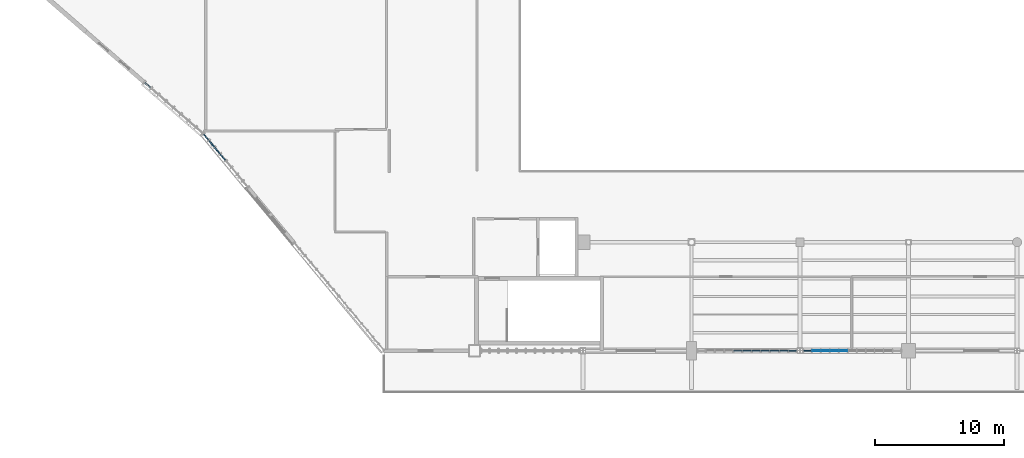
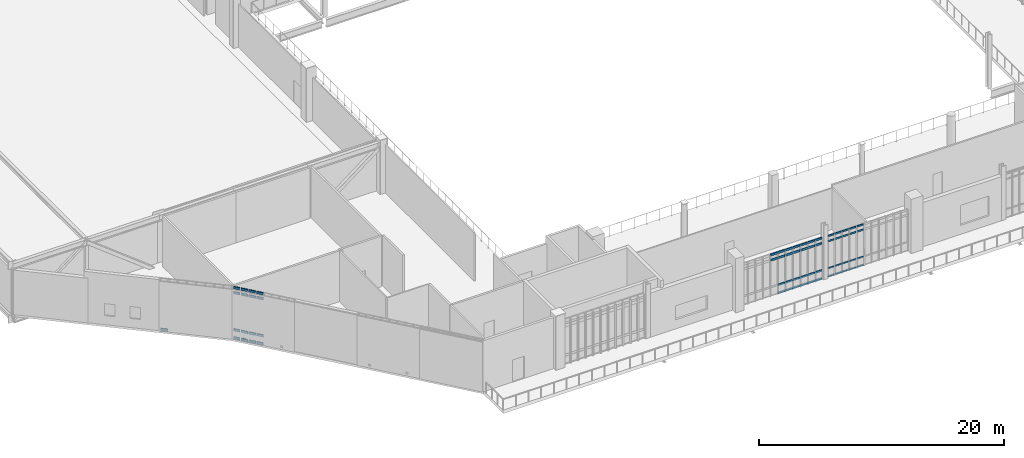
# One storey, part 45 of 135: 63 members, 4 elements without a shape of their own.
"""IFC4 building model written with IfcOpenShell, lengths in metres."""

from ifc_helpers import new_model, si_unit, direction, frame, origin, origin_2d, place, context, subcontext, project, spatial, rectangle, extrude, material, material_profile, profile_set, type_object, element, aggregate, save


model = new_model("IFC4")

# Units and contexts
model_context = context("Model", 3, precision=1e-05, world=origin(), true_north=direction((0.0, 1.0)))
body_context = subcontext(model_context, "Body", "Model", "MODEL_VIEW")
ifc_project = project(units=[si_unit("LENGTHUNIT", "METRE"), si_unit("AREAUNIT", "SQUARE_METRE"), si_unit("VOLUMEUNIT", "CUBIC_METRE"), si_unit("PLANEANGLEUNIT", "RADIAN"), si_unit("MASSUNIT", "GRAM", prefix="KILO")], contexts=[model_context])

# Site, building, storey
site_placement = place(None, origin())
site = spatial("IfcSite", under=ifc_project, at=site_placement, CompositionType="ELEMENT")
building_placement = place(site_placement, origin())
building = spatial("IfcBuilding", under=site, at=building_placement, Name="Larkvane Passage Sports Hall", CompositionType="ELEMENT")
storey_placement = place(building_placement, frame((0.0, 0.0, 16.800048828125)))
storey = spatial("IfcBuildingStorey", under=building, at=storey_placement, Name="L03", CompositionType="ELEMENT", Elevation=16.800048828125)

# Curtain wall, member
ifc_material_1 = material(Name="Thermally broken aluminium and low-E glazing", Category="aluminium")
curtain_wall_type_1 = type_object("IfcCurtainWallType", Name="CW-CLINIC", PredefinedType="USERDEFINED", material=ifc_material_1)
curtain_wall_1_placement = place(storey_placement, origin())
curtain_wall_1 = element("IfcCurtainWall", 1, at=curtain_wall_1_placement, inside=storey, type_object=curtain_wall_type_1, Name="Curtain wall CW5-L03-131", ObjectType="UNITISED CURTAIN WALL", PredefinedType="USERDEFINED")
ifc_material_2 = material(Name="Anodised aluminium 6063-T6", Category="aluminium")
ifc_material_profile_1 = material_profile(ifc_material_2, rectangle(XDim=0.10009765625, YDim=0.260009765625, at=origin_2d()), Name="ALU-TRN-100x260")
ifc_profile_set_1 = profile_set([ifc_material_profile_1], Name="Anodised aluminium 6063-T6")
member_type_1 = type_object("IfcMemberType", Name="CW-TRN-100x260", PredefinedType="USERDEFINED", material=ifc_profile_set_1)
member_1_placement = place(storey_placement, frame((9.7373046875, 43.1328125, 0.050048828125), z_axis=(-0.75464845519, 0.656129338682, 0.0), x_axis=(-0.656129338682, -0.75464845519, 0.0)))
member_1 = element("IfcMember", 2, at=member_1_placement, type_object=member_type_1, Name="CW-05 transom 8.1", ObjectType="TRANSOM", PredefinedType="USERDEFINED", context=body_context, shape_type="SweptSolid", body=[
    extrude(rectangle(XDim=0.10009765625, YDim=0.260009765625, at=origin_2d()), origin(), (0.0, 0.0, 1.0), 0.612060546875),
])
aggregate(curtain_wall_1, [member_1])

# Curtain wall, members
curtain_wall_type_2 = type_object("IfcCurtainWallType", Name="CW-UNIT-VEIL", PredefinedType="USERDEFINED", material=ifc_material_1)
curtain_wall_2_placement = place(storey_placement, origin())
curtain_wall_2 = element("IfcCurtainWall", 3, at=curtain_wall_2_placement, inside=storey, type_object=curtain_wall_type_2, Name="Curtain wall CW5-L03-125", ObjectType="UNITISED CURTAIN WALL", PredefinedType="USERDEFINED")
ifc_material_profile_2 = material_profile(ifc_material_2, rectangle(XDim=0.070068359375, YDim=0.159912109375, at=origin_2d()), Name="ALU-TRN-70x160")
ifc_profile_set_2 = profile_set([ifc_material_profile_2], Name="Anodised aluminium 6063-T6")
member_type_2 = type_object("IfcMemberType", Name="CW-TRN-70x160", PredefinedType="USERDEFINED", material=ifc_profile_set_2)
member_2_placement = place(storey_placement, frame((63.643798828125, 22.800048828125, 0.034912109375), z_axis=(-1.0, 0.0, 0.0), x_axis=(0.0, -1.0, 0.0)))
member_2 = element("IfcMember", 4, at=member_2_placement, type_object=member_type_2, Name="CW-02 transom 7.1", ObjectType="TRANSOM", PredefinedType="USERDEFINED", context=body_context, shape_type="SweptSolid", body=[
    extrude(rectangle(XDim=0.070068359375, YDim=0.159912109375, at=origin_2d()), origin(), (0.0, 0.0, 1.0), 0.625732421875),
])
member_3_placement = place(storey_placement, frame((63.643798828125, 22.800048828125, 0.849853515625), z_axis=(-1.0, 0.0, 0.0), x_axis=(0.0, -1.0, 0.0)))
member_3 = element("IfcMember", 5, at=member_3_placement, type_object=member_type_2, Name="CW-02 transom 7.2", ObjectType="TRANSOM", PredefinedType="USERDEFINED", context=body_context, shape_type="SweptSolid", body=[
    extrude(rectangle(XDim=0.070068359375, YDim=0.159912109375, at=origin_2d()), origin(), (0.0, 0.0, 1.0), 0.625732421875),
])
member_4_placement = place(storey_placement, frame((63.643798828125, 22.800048828125, 3.557861328125), z_axis=(-1.0, 0.0, 0.0), x_axis=(0.0, -1.0, 0.0)))
member_4 = element("IfcMember", 6, at=member_4_placement, type_object=member_type_2, Name="CW-02 transom 7.3", ObjectType="TRANSOM", PredefinedType="USERDEFINED", context=body_context, shape_type="SweptSolid", body=[
    extrude(rectangle(XDim=0.070068359375, YDim=0.159912109375, at=origin_2d()), origin(), (0.0, 0.0, 1.0), 0.625732421875),
])
member_5_placement = place(storey_placement, frame((63.643798828125, 22.800048828125, 4.072998046875), z_axis=(-1.0, 0.0, 0.0), x_axis=(0.0, -1.0, 0.0)))
member_5 = element("IfcMember", 7, at=member_5_placement, type_object=member_type_2, Name="CW-02 transom 7.4", ObjectType="TRANSOM", PredefinedType="USERDEFINED", context=body_context, shape_type="SweptSolid", body=[
    extrude(rectangle(XDim=0.070068359375, YDim=0.159912109375, at=origin_2d()), origin(), (0.0, 0.0, 1.0), 0.625732421875),
])
member_6_placement = place(storey_placement, frame((62.947998046875, 22.800048828125, 0.034912109375), z_axis=(-1.0, 0.0, 0.0), x_axis=(0.0, -1.0, 0.0)))
member_6 = element("IfcMember", 8, at=member_6_placement, type_object=member_type_2, Name="CW-02 transom 8.1", ObjectType="TRANSOM", PredefinedType="USERDEFINED", context=body_context, shape_type="SweptSolid", body=[
    extrude(rectangle(XDim=0.070068359375, YDim=0.159912109375, at=origin_2d()), origin(), (0.0, 0.0, 1.0), 0.6259765625),
])
member_7_placement = place(storey_placement, frame((62.947998046875, 22.800048828125, 0.849853515625), z_axis=(-1.0, 0.0, 0.0), x_axis=(0.0, -1.0, 0.0)))
member_7 = element("IfcMember", 9, at=member_7_placement, type_object=member_type_2, Name="CW-02 transom 8.2", ObjectType="TRANSOM", PredefinedType="USERDEFINED", context=body_context, shape_type="SweptSolid", body=[
    extrude(rectangle(XDim=0.070068359375, YDim=0.159912109375, at=origin_2d()), origin(), (0.0, 0.0, 1.0), 0.6259765625),
])
member_8_placement = place(storey_placement, frame((62.947998046875, 22.800048828125, 3.557861328125), z_axis=(-1.0, 0.0, 0.0), x_axis=(0.0, -1.0, 0.0)))
member_8 = element("IfcMember", 10, at=member_8_placement, type_object=member_type_2, Name="CW-02 transom 8.3", ObjectType="TRANSOM", PredefinedType="USERDEFINED", context=body_context, shape_type="SweptSolid", body=[
    extrude(rectangle(XDim=0.070068359375, YDim=0.159912109375, at=origin_2d()), origin(), (0.0, 0.0, 1.0), 0.6259765625),
])
member_9_placement = place(storey_placement, frame((62.947998046875, 22.800048828125, 4.072998046875), z_axis=(-1.0, 0.0, 0.0), x_axis=(0.0, -1.0, 0.0)))
member_9 = element("IfcMember", 11, at=member_9_placement, type_object=member_type_2, Name="CW-02 transom 8.4", ObjectType="TRANSOM", PredefinedType="USERDEFINED", context=body_context, shape_type="SweptSolid", body=[
    extrude(rectangle(XDim=0.070068359375, YDim=0.159912109375, at=origin_2d()), origin(), (0.0, 0.0, 1.0), 0.6259765625),
])
member_10_placement = place(storey_placement, frame((62.252197265625, 22.800048828125, 0.034912109375), z_axis=(-1.0, 0.0, 0.0), x_axis=(0.0, -1.0, 0.0)))
member_10 = element("IfcMember", 12, at=member_10_placement, type_object=member_type_2, Name="CW-02 transom 9.1", ObjectType="TRANSOM", PredefinedType="USERDEFINED", context=body_context, shape_type="SweptSolid", body=[
    extrude(rectangle(XDim=0.070068359375, YDim=0.159912109375, at=origin_2d()), origin(), (0.0, 0.0, 1.0), 0.6259765625),
])
member_11_placement = place(storey_placement, frame((62.252197265625, 22.800048828125, 0.849853515625), z_axis=(-1.0, 0.0, 0.0), x_axis=(0.0, -1.0, 0.0)))
member_11 = element("IfcMember", 13, at=member_11_placement, type_object=member_type_2, Name="CW-02 transom 9.2", ObjectType="TRANSOM", PredefinedType="USERDEFINED", context=body_context, shape_type="SweptSolid", body=[
    extrude(rectangle(XDim=0.070068359375, YDim=0.159912109375, at=origin_2d()), origin(), (0.0, 0.0, 1.0), 0.6259765625),
])
member_12_placement = place(storey_placement, frame((62.252197265625, 22.800048828125, 3.557861328125), z_axis=(-1.0, 0.0, 0.0), x_axis=(0.0, -1.0, 0.0)))
member_12 = element("IfcMember", 14, at=member_12_placement, type_object=member_type_2, Name="CW-02 transom 9.3", ObjectType="TRANSOM", PredefinedType="USERDEFINED", context=body_context, shape_type="SweptSolid", body=[
    extrude(rectangle(XDim=0.070068359375, YDim=0.159912109375, at=origin_2d()), origin(), (0.0, 0.0, 1.0), 0.6259765625),
])
member_13_placement = place(storey_placement, frame((62.252197265625, 22.800048828125, 4.072998046875), z_axis=(-1.0, 0.0, 0.0), x_axis=(0.0, -1.0, 0.0)))
member_13 = element("IfcMember", 15, at=member_13_placement, type_object=member_type_2, Name="CW-02 transom 9.4", ObjectType="TRANSOM", PredefinedType="USERDEFINED", context=body_context, shape_type="SweptSolid", body=[
    extrude(rectangle(XDim=0.070068359375, YDim=0.159912109375, at=origin_2d()), origin(), (0.0, 0.0, 1.0), 0.6259765625),
])
member_14_placement = place(storey_placement, frame((61.55615234375, 22.800048828125, 0.034912109375), z_axis=(-1.0, 0.0, 0.0), x_axis=(0.0, -1.0, 0.0)))
member_14 = element("IfcMember", 16, at=member_14_placement, type_object=member_type_2, Name="CW-02 transom 10.1", ObjectType="TRANSOM", PredefinedType="USERDEFINED", context=body_context, shape_type="SweptSolid", body=[
    extrude(rectangle(XDim=0.070068359375, YDim=0.159912109375, at=origin_2d()), origin(), (0.0, 0.0, 1.0), 0.625732421875),
])
member_15_placement = place(storey_placement, frame((61.55615234375, 22.800048828125, 0.849853515625), z_axis=(-1.0, 0.0, 0.0), x_axis=(0.0, -1.0, 0.0)))
member_15 = element("IfcMember", 17, at=member_15_placement, type_object=member_type_2, Name="CW-02 transom 10.2", ObjectType="TRANSOM", PredefinedType="USERDEFINED", context=body_context, shape_type="SweptSolid", body=[
    extrude(rectangle(XDim=0.070068359375, YDim=0.159912109375, at=origin_2d()), origin(), (0.0, 0.0, 1.0), 0.625732421875),
])
member_16_placement = place(storey_placement, frame((61.55615234375, 22.800048828125, 3.557861328125), z_axis=(-1.0, 0.0, 0.0), x_axis=(0.0, -1.0, 0.0)))
member_16 = element("IfcMember", 18, at=member_16_placement, type_object=member_type_2, Name="CW-02 transom 10.3", ObjectType="TRANSOM", PredefinedType="USERDEFINED", context=body_context, shape_type="SweptSolid", body=[
    extrude(rectangle(XDim=0.070068359375, YDim=0.159912109375, at=origin_2d()), origin(), (0.0, 0.0, 1.0), 0.625732421875),
])
member_17_placement = place(storey_placement, frame((61.55615234375, 22.800048828125, 4.072998046875), z_axis=(-1.0, 0.0, 0.0), x_axis=(0.0, -1.0, 0.0)))
member_17 = element("IfcMember", 19, at=member_17_placement, type_object=member_type_2, Name="CW-02 transom 10.4", ObjectType="TRANSOM", PredefinedType="USERDEFINED", context=body_context, shape_type="SweptSolid", body=[
    extrude(rectangle(XDim=0.070068359375, YDim=0.159912109375, at=origin_2d()), origin(), (0.0, 0.0, 1.0), 0.625732421875),
])
member_18_placement = place(storey_placement, frame((60.8603515625, 22.800048828125, 0.034912109375), z_axis=(-1.0, 0.0, 0.0), x_axis=(0.0, -1.0, 0.0)))
member_18 = element("IfcMember", 20, at=member_18_placement, type_object=member_type_2, Name="CW-02 transom 11.1", ObjectType="TRANSOM", PredefinedType="USERDEFINED", context=body_context, shape_type="SweptSolid", body=[
    extrude(rectangle(XDim=0.070068359375, YDim=0.159912109375, at=origin_2d()), origin(), (0.0, 0.0, 1.0), 0.5908203125),
])
member_19_placement = place(storey_placement, frame((60.8603515625, 22.800048828125, 0.849853515625), z_axis=(-1.0, 0.0, 0.0), x_axis=(0.0, -1.0, 0.0)))
member_19 = element("IfcMember", 21, at=member_19_placement, type_object=member_type_2, Name="CW-02 transom 11.2", ObjectType="TRANSOM", PredefinedType="USERDEFINED", context=body_context, shape_type="SweptSolid", body=[
    extrude(rectangle(XDim=0.070068359375, YDim=0.159912109375, at=origin_2d()), origin(), (0.0, 0.0, 1.0), 0.5908203125),
])
member_20_placement = place(storey_placement, frame((60.8603515625, 22.800048828125, 3.557861328125), z_axis=(-1.0, 0.0, 0.0), x_axis=(0.0, -1.0, 0.0)))
member_20 = element("IfcMember", 22, at=member_20_placement, type_object=member_type_2, Name="CW-02 transom 11.3", ObjectType="TRANSOM", PredefinedType="USERDEFINED", context=body_context, shape_type="SweptSolid", body=[
    extrude(rectangle(XDim=0.070068359375, YDim=0.159912109375, at=origin_2d()), origin(), (0.0, 0.0, 1.0), 0.5908203125),
])
member_21_placement = place(storey_placement, frame((60.8603515625, 22.800048828125, 4.072998046875), z_axis=(-1.0, 0.0, 0.0), x_axis=(0.0, -1.0, 0.0)))
member_21 = element("IfcMember", 23, at=member_21_placement, type_object=member_type_2, Name="CW-02 transom 11.4", ObjectType="TRANSOM", PredefinedType="USERDEFINED", context=body_context, shape_type="SweptSolid", body=[
    extrude(rectangle(XDim=0.070068359375, YDim=0.159912109375, at=origin_2d()), origin(), (0.0, 0.0, 1.0), 0.5908203125),
])
aggregate(curtain_wall_2, [member_2, member_3, member_4, member_5, member_6, member_7, member_8, member_9, member_10, member_11, member_12, member_13, member_14, member_15, member_16, member_17, member_18, member_19, member_20, member_21])

curtain_wall_type_3 = type_object("IfcCurtainWallType", Name="CW-STICK-FOYER", PredefinedType="USERDEFINED", material=ifc_material_1)
curtain_wall_3_placement = place(storey_placement, origin())
curtain_wall_3 = element("IfcCurtainWall", 24, at=curtain_wall_3_placement, inside=storey, type_object=curtain_wall_type_3, Name="Curtain wall CW5-L03-126", ObjectType="STICK CURTAIN WALL", PredefinedType="USERDEFINED")
ifc_material_profile_3 = material_profile(ifc_material_2, rectangle(XDim=0.080078125, YDim=0.2099609375, at=origin_2d()), Name="ALU-TRN-80x210")
ifc_profile_set_3 = profile_set([ifc_material_profile_3], Name="Anodised aluminium 6063-T6")
member_type_3 = type_object("IfcMemberType", Name="CW-TRN-80x210", PredefinedType="USERDEFINED", material=ifc_profile_set_3)
member_22_placement = place(storey_placement, frame((59.720458984375, 22.800048828125, 0.0400390625), z_axis=(-1.0, 0.0, 0.0), x_axis=(0.0, -1.0, 0.0)))
member_22 = element("IfcMember", 25, at=member_22_placement, type_object=member_type_3, Name="CW-03 transom 1.1", ObjectType="TRANSOM", PredefinedType="USERDEFINED", context=body_context, shape_type="SweptSolid", body=[
    extrude(rectangle(XDim=0.080078125, YDim=0.2099609375, at=origin_2d()), origin(), (0.0, 0.0, 1.0), 0.58935546875),
])
member_23_placement = place(storey_placement, frame((59.720458984375, 22.800048828125, 0.849853515625), z_axis=(-1.0, 0.0, 0.0), x_axis=(0.0, -1.0, 0.0)))
member_23 = element("IfcMember", 26, at=member_23_placement, type_object=member_type_3, Name="CW-03 transom 1.2", ObjectType="TRANSOM", PredefinedType="USERDEFINED", context=body_context, shape_type="SweptSolid", body=[
    extrude(rectangle(XDim=0.080078125, YDim=0.2099609375, at=origin_2d()), origin(), (0.0, 0.0, 1.0), 0.58935546875),
])
member_24_placement = place(storey_placement, frame((59.720458984375, 22.800048828125, 3.557861328125), z_axis=(-1.0, 0.0, 0.0), x_axis=(0.0, -1.0, 0.0)))
member_24 = element("IfcMember", 27, at=member_24_placement, type_object=member_type_3, Name="CW-03 transom 1.3", ObjectType="TRANSOM", PredefinedType="USERDEFINED", context=body_context, shape_type="SweptSolid", body=[
    extrude(rectangle(XDim=0.080078125, YDim=0.2099609375, at=origin_2d()), origin(), (0.0, 0.0, 1.0), 0.58935546875),
])
member_25_placement = place(storey_placement, frame((59.720458984375, 22.800048828125, 4.06787109375), z_axis=(-1.0, 0.0, 0.0), x_axis=(0.0, -1.0, 0.0)))
member_25 = element("IfcMember", 28, at=member_25_placement, type_object=member_type_3, Name="CW-03 transom 1.4", ObjectType="TRANSOM", PredefinedType="USERDEFINED", context=body_context, shape_type="SweptSolid", body=[
    extrude(rectangle(XDim=0.080078125, YDim=0.2099609375, at=origin_2d()), origin(), (0.0, 0.0, 1.0), 0.58935546875),
])
member_26_placement = place(storey_placement, frame((59.051025390625, 22.800048828125, 0.0400390625), z_axis=(-1.0, 0.0, 0.0), x_axis=(0.0, -1.0, 0.0)))
member_26 = element("IfcMember", 29, at=member_26_placement, type_object=member_type_3, Name="CW-03 transom 2.1", ObjectType="TRANSOM", PredefinedType="USERDEFINED", context=body_context, shape_type="SweptSolid", body=[
    extrude(rectangle(XDim=0.080078125, YDim=0.2099609375, at=origin_2d()), origin(), (0.0, 0.0, 1.0), 0.629638671875),
])
member_27_placement = place(storey_placement, frame((59.051025390625, 22.800048828125, 0.849853515625), z_axis=(-1.0, 0.0, 0.0), x_axis=(0.0, -1.0, 0.0)))
member_27 = element("IfcMember", 30, at=member_27_placement, type_object=member_type_3, Name="CW-03 transom 2.2", ObjectType="TRANSOM", PredefinedType="USERDEFINED", context=body_context, shape_type="SweptSolid", body=[
    extrude(rectangle(XDim=0.080078125, YDim=0.2099609375, at=origin_2d()), origin(), (0.0, 0.0, 1.0), 0.629638671875),
])
member_28_placement = place(storey_placement, frame((59.051025390625, 22.800048828125, 3.557861328125), z_axis=(-1.0, 0.0, 0.0), x_axis=(0.0, -1.0, 0.0)))
member_28 = element("IfcMember", 31, at=member_28_placement, type_object=member_type_3, Name="CW-03 transom 2.3", ObjectType="TRANSOM", PredefinedType="USERDEFINED", context=body_context, shape_type="SweptSolid", body=[
    extrude(rectangle(XDim=0.080078125, YDim=0.2099609375, at=origin_2d()), origin(), (0.0, 0.0, 1.0), 0.629638671875),
])
member_29_placement = place(storey_placement, frame((59.051025390625, 22.800048828125, 4.06787109375), z_axis=(-1.0, 0.0, 0.0), x_axis=(0.0, -1.0, 0.0)))
member_29 = element("IfcMember", 32, at=member_29_placement, type_object=member_type_3, Name="CW-03 transom 2.4", ObjectType="TRANSOM", PredefinedType="USERDEFINED", context=body_context, shape_type="SweptSolid", body=[
    extrude(rectangle(XDim=0.080078125, YDim=0.2099609375, at=origin_2d()), origin(), (0.0, 0.0, 1.0), 0.629638671875),
])
member_30_placement = place(storey_placement, frame((58.341552734375, 22.800048828125, 0.0400390625), z_axis=(-1.0, 0.0, 0.0), x_axis=(0.0, -1.0, 0.0)))
member_30 = element("IfcMember", 33, at=member_30_placement, type_object=member_type_3, Name="CW-03 transom 3.1", ObjectType="TRANSOM", PredefinedType="USERDEFINED", context=body_context, shape_type="SweptSolid", body=[
    extrude(rectangle(XDim=0.080078125, YDim=0.2099609375, at=origin_2d()), origin(), (0.0, 0.0, 1.0), 0.629638671875),
])
member_31_placement = place(storey_placement, frame((58.341552734375, 22.800048828125, 0.849853515625), z_axis=(-1.0, 0.0, 0.0), x_axis=(0.0, -1.0, 0.0)))
member_31 = element("IfcMember", 34, at=member_31_placement, type_object=member_type_3, Name="CW-03 transom 3.2", ObjectType="TRANSOM", PredefinedType="USERDEFINED", context=body_context, shape_type="SweptSolid", body=[
    extrude(rectangle(XDim=0.080078125, YDim=0.2099609375, at=origin_2d()), origin(), (0.0, 0.0, 1.0), 0.629638671875),
])
member_32_placement = place(storey_placement, frame((58.341552734375, 22.800048828125, 3.557861328125), z_axis=(-1.0, 0.0, 0.0), x_axis=(0.0, -1.0, 0.0)))
member_32 = element("IfcMember", 35, at=member_32_placement, type_object=member_type_3, Name="CW-03 transom 3.3", ObjectType="TRANSOM", PredefinedType="USERDEFINED", context=body_context, shape_type="SweptSolid", body=[
    extrude(rectangle(XDim=0.080078125, YDim=0.2099609375, at=origin_2d()), origin(), (0.0, 0.0, 1.0), 0.629638671875),
])
member_33_placement = place(storey_placement, frame((58.341552734375, 22.800048828125, 4.06787109375), z_axis=(-1.0, 0.0, 0.0), x_axis=(0.0, -1.0, 0.0)))
member_33 = element("IfcMember", 36, at=member_33_placement, type_object=member_type_3, Name="CW-03 transom 3.4", ObjectType="TRANSOM", PredefinedType="USERDEFINED", context=body_context, shape_type="SweptSolid", body=[
    extrude(rectangle(XDim=0.080078125, YDim=0.2099609375, at=origin_2d()), origin(), (0.0, 0.0, 1.0), 0.629638671875),
])
member_34_placement = place(storey_placement, frame((57.632080078125, 22.800048828125, 0.0400390625), z_axis=(-1.0, 0.0, 0.0), x_axis=(0.0, -1.0, 0.0)))
member_34 = element("IfcMember", 37, at=member_34_placement, type_object=member_type_3, Name="CW-03 transom 4.1", ObjectType="TRANSOM", PredefinedType="USERDEFINED", context=body_context, shape_type="SweptSolid", body=[
    extrude(rectangle(XDim=0.080078125, YDim=0.2099609375, at=origin_2d()), origin(), (0.0, 0.0, 1.0), 0.629638671875),
])
member_35_placement = place(storey_placement, frame((57.632080078125, 22.800048828125, 0.849853515625), z_axis=(-1.0, 0.0, 0.0), x_axis=(0.0, -1.0, 0.0)))
member_35 = element("IfcMember", 38, at=member_35_placement, type_object=member_type_3, Name="CW-03 transom 4.2", ObjectType="TRANSOM", PredefinedType="USERDEFINED", context=body_context, shape_type="SweptSolid", body=[
    extrude(rectangle(XDim=0.080078125, YDim=0.2099609375, at=origin_2d()), origin(), (0.0, 0.0, 1.0), 0.629638671875),
])
member_36_placement = place(storey_placement, frame((57.632080078125, 22.800048828125, 3.557861328125), z_axis=(-1.0, 0.0, 0.0), x_axis=(0.0, -1.0, 0.0)))
member_36 = element("IfcMember", 39, at=member_36_placement, type_object=member_type_3, Name="CW-03 transom 4.3", ObjectType="TRANSOM", PredefinedType="USERDEFINED", context=body_context, shape_type="SweptSolid", body=[
    extrude(rectangle(XDim=0.080078125, YDim=0.2099609375, at=origin_2d()), origin(), (0.0, 0.0, 1.0), 0.629638671875),
])
member_37_placement = place(storey_placement, frame((57.632080078125, 22.800048828125, 4.06787109375), z_axis=(-1.0, 0.0, 0.0), x_axis=(0.0, -1.0, 0.0)))
member_37 = element("IfcMember", 40, at=member_37_placement, type_object=member_type_3, Name="CW-03 transom 4.4", ObjectType="TRANSOM", PredefinedType="USERDEFINED", context=body_context, shape_type="SweptSolid", body=[
    extrude(rectangle(XDim=0.080078125, YDim=0.2099609375, at=origin_2d()), origin(), (0.0, 0.0, 1.0), 0.629638671875),
])
member_38_placement = place(storey_placement, frame((56.922607421875, 22.800048828125, 0.0400390625), z_axis=(-1.0, 0.0, 0.0), x_axis=(0.0, -1.0, 0.0)))
member_38 = element("IfcMember", 41, at=member_38_placement, type_object=member_type_3, Name="CW-03 transom 5.1", ObjectType="TRANSOM", PredefinedType="USERDEFINED", context=body_context, shape_type="SweptSolid", body=[
    extrude(rectangle(XDim=0.080078125, YDim=0.2099609375, at=origin_2d()), origin(), (0.0, 0.0, 1.0), 0.629638671875),
])
member_39_placement = place(storey_placement, frame((56.922607421875, 22.800048828125, 0.849853515625), z_axis=(-1.0, 0.0, 0.0), x_axis=(0.0, -1.0, 0.0)))
member_39 = element("IfcMember", 42, at=member_39_placement, type_object=member_type_3, Name="CW-03 transom 5.2", ObjectType="TRANSOM", PredefinedType="USERDEFINED", context=body_context, shape_type="SweptSolid", body=[
    extrude(rectangle(XDim=0.080078125, YDim=0.2099609375, at=origin_2d()), origin(), (0.0, 0.0, 1.0), 0.629638671875),
])
member_40_placement = place(storey_placement, frame((56.922607421875, 22.800048828125, 3.557861328125), z_axis=(-1.0, 0.0, 0.0), x_axis=(0.0, -1.0, 0.0)))
member_40 = element("IfcMember", 43, at=member_40_placement, type_object=member_type_3, Name="CW-03 transom 5.3", ObjectType="TRANSOM", PredefinedType="USERDEFINED", context=body_context, shape_type="SweptSolid", body=[
    extrude(rectangle(XDim=0.080078125, YDim=0.2099609375, at=origin_2d()), origin(), (0.0, 0.0, 1.0), 0.629638671875),
])
member_41_placement = place(storey_placement, frame((56.922607421875, 22.800048828125, 4.06787109375), z_axis=(-1.0, 0.0, 0.0), x_axis=(0.0, -1.0, 0.0)))
member_41 = element("IfcMember", 44, at=member_41_placement, type_object=member_type_3, Name="CW-03 transom 5.4", ObjectType="TRANSOM", PredefinedType="USERDEFINED", context=body_context, shape_type="SweptSolid", body=[
    extrude(rectangle(XDim=0.080078125, YDim=0.2099609375, at=origin_2d()), origin(), (0.0, 0.0, 1.0), 0.629638671875),
])
member_42_placement = place(storey_placement, frame((56.212890625, 22.800048828125, 0.0400390625), z_axis=(-1.0, 0.0, 0.0), x_axis=(0.0, -1.0, 0.0)))
member_42 = element("IfcMember", 45, at=member_42_placement, type_object=member_type_3, Name="CW-03 transom 6.1", ObjectType="TRANSOM", PredefinedType="USERDEFINED", context=body_context, shape_type="SweptSolid", body=[
    extrude(rectangle(XDim=0.080078125, YDim=0.2099609375, at=origin_2d()), origin(), (0.0, 0.0, 1.0), 0.62939453125),
])
member_43_placement = place(storey_placement, frame((56.212890625, 22.800048828125, 0.849853515625), z_axis=(-1.0, 0.0, 0.0), x_axis=(0.0, -1.0, 0.0)))
member_43 = element("IfcMember", 46, at=member_43_placement, type_object=member_type_3, Name="CW-03 transom 6.2", ObjectType="TRANSOM", PredefinedType="USERDEFINED", context=body_context, shape_type="SweptSolid", body=[
    extrude(rectangle(XDim=0.080078125, YDim=0.2099609375, at=origin_2d()), origin(), (0.0, 0.0, 1.0), 0.62939453125),
])
member_44_placement = place(storey_placement, frame((56.212890625, 22.800048828125, 3.557861328125), z_axis=(-1.0, 0.0, 0.0), x_axis=(0.0, -1.0, 0.0)))
member_44 = element("IfcMember", 47, at=member_44_placement, type_object=member_type_3, Name="CW-03 transom 6.3", ObjectType="TRANSOM", PredefinedType="USERDEFINED", context=body_context, shape_type="SweptSolid", body=[
    extrude(rectangle(XDim=0.080078125, YDim=0.2099609375, at=origin_2d()), origin(), (0.0, 0.0, 1.0), 0.62939453125),
])
member_45_placement = place(storey_placement, frame((56.212890625, 22.800048828125, 4.06787109375), z_axis=(-1.0, 0.0, 0.0), x_axis=(0.0, -1.0, 0.0)))
member_45 = element("IfcMember", 48, at=member_45_placement, type_object=member_type_3, Name="CW-03 transom 6.4", ObjectType="TRANSOM", PredefinedType="USERDEFINED", context=body_context, shape_type="SweptSolid", body=[
    extrude(rectangle(XDim=0.080078125, YDim=0.2099609375, at=origin_2d()), origin(), (0.0, 0.0, 1.0), 0.62939453125),
])
member_46_placement = place(storey_placement, frame((55.50341796875, 22.800048828125, 3.557861328125), z_axis=(-1.0, 0.0, 0.0), x_axis=(0.0, -1.0, 0.0)))
member_46 = element("IfcMember", 49, at=member_46_placement, type_object=member_type_3, Name="CW-03 transom 7.3", ObjectType="TRANSOM", PredefinedType="USERDEFINED", context=body_context, shape_type="SweptSolid", body=[
    extrude(rectangle(XDim=0.080078125, YDim=0.2099609375, at=origin_2d()), origin(), (0.0, 0.0, 1.0), 0.62939453125),
])
member_47_placement = place(storey_placement, frame((55.50341796875, 22.800048828125, 4.06787109375), z_axis=(-1.0, 0.0, 0.0), x_axis=(0.0, -1.0, 0.0)))
member_47 = element("IfcMember", 50, at=member_47_placement, type_object=member_type_3, Name="CW-03 transom 7.4", ObjectType="TRANSOM", PredefinedType="USERDEFINED", context=body_context, shape_type="SweptSolid", body=[
    extrude(rectangle(XDim=0.080078125, YDim=0.2099609375, at=origin_2d()), origin(), (0.0, 0.0, 1.0), 0.62939453125),
])
aggregate(curtain_wall_3, [member_22, member_23, member_24, member_25, member_26, member_27, member_28, member_29, member_30, member_31, member_32, member_33, member_34, member_35, member_36, member_37, member_38, member_39, member_40, member_41, member_42, member_43, member_44, member_45, member_46, member_47])

curtain_wall_4_placement = place(storey_placement, origin())
curtain_wall_4 = element("IfcCurtainWall", 51, at=curtain_wall_4_placement, inside=storey, type_object=curtain_wall_type_3, Name="Curtain wall CW5-L03-130", ObjectType="STICK CURTAIN WALL", PredefinedType="USERDEFINED")
ifc_material_profile_4 = material_profile(ifc_material_2, rectangle(XDim=0.090087890625, YDim=0.235107421875, at=origin_2d()), Name="ALU-TRN-90x235")
ifc_profile_set_4 = profile_set([ifc_material_profile_4], Name="Anodised aluminium 6063-T6")
member_type_4 = type_object("IfcMemberType", Name="CW-TRN-90x235", PredefinedType="USERDEFINED", material=ifc_profile_set_4)
member_48_placement = place(storey_placement, frame((15.521240234375, 37.53466796875, 0.044921875), z_axis=(-0.640224869816, 0.768187552665, 0.0), x_axis=(-0.768187552665, -0.640224869816, 0.0)))
member_48 = element("IfcMember", 52, at=member_48_placement, type_object=member_type_4, Name="CW-03 transom 5.1", ObjectType="TRANSOM", PredefinedType="USERDEFINED", context=body_context, shape_type="SweptSolid", body=[
    extrude(rectangle(XDim=0.090087890625, YDim=0.235107421875, at=origin_2d()), origin(), (0.0, 0.0, 1.0), 0.59326171875),
])
member_49_placement = place(storey_placement, frame((15.521240234375, 37.53466796875, 0.849853515625), z_axis=(-0.640224869816, 0.768187552665, 0.0), x_axis=(-0.768187552665, -0.640224869816, 0.0)))
member_49 = element("IfcMember", 53, at=member_49_placement, type_object=member_type_4, Name="CW-03 transom 5.2", ObjectType="TRANSOM", PredefinedType="USERDEFINED", context=body_context, shape_type="SweptSolid", body=[
    extrude(rectangle(XDim=0.090087890625, YDim=0.235107421875, at=origin_2d()), origin(), (0.0, 0.0, 1.0), 0.59326171875),
])
member_50_placement = place(storey_placement, frame((15.521240234375, 37.53466796875, 4.550048828125), z_axis=(-0.640224869816, 0.768187552665, 0.0), x_axis=(-0.768187552665, -0.640224869816, 0.0)))
member_50 = element("IfcMember", 54, at=member_50_placement, type_object=member_type_4, Name="CW-03 transom 5.3", ObjectType="TRANSOM", PredefinedType="USERDEFINED", context=body_context, shape_type="SweptSolid", body=[
    extrude(rectangle(XDim=0.090087890625, YDim=0.235107421875, at=origin_2d()), origin(), (0.0, 0.0, 1.0), 0.59326171875),
])
member_51_placement = place(storey_placement, frame((15.521240234375, 37.53466796875, 5.054931640625), z_axis=(-0.640224869816, 0.768187552665, 0.0), x_axis=(-0.768187552665, -0.640224869816, 0.0)))
member_51 = element("IfcMember", 55, at=member_51_placement, type_object=member_type_4, Name="CW-03 transom 5.4", ObjectType="TRANSOM", PredefinedType="USERDEFINED", context=body_context, shape_type="SweptSolid", body=[
    extrude(rectangle(XDim=0.090087890625, YDim=0.235107421875, at=origin_2d()), origin(), (0.0, 0.0, 1.0), 0.59326171875),
])
member_52_placement = place(storey_placement, frame((15.083740234375, 38.0595703125, 0.044921875), z_axis=(-0.640224869816, 0.768187552665, 0.0), x_axis=(-0.768187552665, -0.640224869816, 0.0)))
member_52 = element("IfcMember", 56, at=member_52_placement, type_object=member_type_4, Name="CW-03 transom 6.1", ObjectType="TRANSOM", PredefinedType="USERDEFINED", context=body_context, shape_type="SweptSolid", body=[
    extrude(rectangle(XDim=0.090087890625, YDim=0.235107421875, at=origin_2d()), origin(), (0.0, 0.0, 1.0), 0.59326171875),
])
member_53_placement = place(storey_placement, frame((15.083740234375, 38.0595703125, 0.849853515625), z_axis=(-0.640224869816, 0.768187552665, 0.0), x_axis=(-0.768187552665, -0.640224869816, 0.0)))
member_53 = element("IfcMember", 57, at=member_53_placement, type_object=member_type_4, Name="CW-03 transom 6.2", ObjectType="TRANSOM", PredefinedType="USERDEFINED", context=body_context, shape_type="SweptSolid", body=[
    extrude(rectangle(XDim=0.090087890625, YDim=0.235107421875, at=origin_2d()), origin(), (0.0, 0.0, 1.0), 0.59326171875),
])
member_54_placement = place(storey_placement, frame((15.083740234375, 38.0595703125, 4.550048828125), z_axis=(-0.640224869816, 0.768187552665, 0.0), x_axis=(-0.768187552665, -0.640224869816, 0.0)))
member_54 = element("IfcMember", 58, at=member_54_placement, type_object=member_type_4, Name="CW-03 transom 6.3", ObjectType="TRANSOM", PredefinedType="USERDEFINED", context=body_context, shape_type="SweptSolid", body=[
    extrude(rectangle(XDim=0.090087890625, YDim=0.235107421875, at=origin_2d()), origin(), (0.0, 0.0, 1.0), 0.59326171875),
])
member_55_placement = place(storey_placement, frame((15.083740234375, 38.0595703125, 5.054931640625), z_axis=(-0.640224869816, 0.768187552665, 0.0), x_axis=(-0.768187552665, -0.640224869816, 0.0)))
member_55 = element("IfcMember", 59, at=member_55_placement, type_object=member_type_4, Name="CW-03 transom 6.4", ObjectType="TRANSOM", PredefinedType="USERDEFINED", context=body_context, shape_type="SweptSolid", body=[
    extrude(rectangle(XDim=0.090087890625, YDim=0.235107421875, at=origin_2d()), origin(), (0.0, 0.0, 1.0), 0.59326171875),
])
member_56_placement = place(storey_placement, frame((14.646240234375, 38.58447265625, 0.044921875), z_axis=(-0.640022552457, 0.768356123387, 0.0), x_axis=(-0.768356123387, -0.640022552457, 0.0)))
member_56 = element("IfcMember", 60, at=member_56_placement, type_object=member_type_4, Name="CW-03 transom 7.1", ObjectType="TRANSOM", PredefinedType="USERDEFINED", context=body_context, shape_type="SweptSolid", body=[
    extrude(rectangle(XDim=0.090087890625, YDim=0.235107421875, at=origin_2d()), origin(), (0.0, 0.0, 1.0), 0.593505859375),
])
member_57_placement = place(storey_placement, frame((14.646240234375, 38.58447265625, 0.849853515625), z_axis=(-0.640022552457, 0.768356123387, 0.0), x_axis=(-0.768356123387, -0.640022552457, 0.0)))
member_57 = element("IfcMember", 61, at=member_57_placement, type_object=member_type_4, Name="CW-03 transom 7.2", ObjectType="TRANSOM", PredefinedType="USERDEFINED", context=body_context, shape_type="SweptSolid", body=[
    extrude(rectangle(XDim=0.090087890625, YDim=0.235107421875, at=origin_2d()), origin(), (0.0, 0.0, 1.0), 0.593505859375),
])
member_58_placement = place(storey_placement, frame((14.646240234375, 38.58447265625, 4.550048828125), z_axis=(-0.640022552457, 0.768356123387, 0.0), x_axis=(-0.768356123387, -0.640022552457, 0.0)))
member_58 = element("IfcMember", 62, at=member_58_placement, type_object=member_type_4, Name="CW-03 transom 7.3", ObjectType="TRANSOM", PredefinedType="USERDEFINED", context=body_context, shape_type="SweptSolid", body=[
    extrude(rectangle(XDim=0.090087890625, YDim=0.235107421875, at=origin_2d()), origin(), (0.0, 0.0, 1.0), 0.593505859375),
])
member_59_placement = place(storey_placement, frame((14.646240234375, 38.58447265625, 5.054931640625), z_axis=(-0.640022552457, 0.768356123387, 0.0), x_axis=(-0.768356123387, -0.640022552457, 0.0)))
member_59 = element("IfcMember", 63, at=member_59_placement, type_object=member_type_4, Name="CW-03 transom 7.4", ObjectType="TRANSOM", PredefinedType="USERDEFINED", context=body_context, shape_type="SweptSolid", body=[
    extrude(rectangle(XDim=0.090087890625, YDim=0.235107421875, at=origin_2d()), origin(), (0.0, 0.0, 1.0), 0.593505859375),
])
member_60_placement = place(storey_placement, frame((14.208740234375, 39.109619140625, 0.044921875), z_axis=(-0.640315785044, 0.768111772741, 0.0), x_axis=(-0.768111772741, -0.640315785044, 0.0)))
member_60 = element("IfcMember", 64, at=member_60_placement, type_object=member_type_4, Name="CW-03 transom 8.1", ObjectType="TRANSOM", PredefinedType="USERDEFINED", context=body_context, shape_type="SweptSolid", body=[
    extrude(rectangle(XDim=0.090087890625, YDim=0.235107421875, at=origin_2d()), origin(), (0.0, 0.0, 1.0), 0.54833984375),
])
member_61_placement = place(storey_placement, frame((14.208740234375, 39.109619140625, 0.849853515625), z_axis=(-0.640315785044, 0.768111772741, 0.0), x_axis=(-0.768111772741, -0.640315785044, 0.0)))
member_61 = element("IfcMember", 65, at=member_61_placement, type_object=member_type_4, Name="CW-03 transom 8.2", ObjectType="TRANSOM", PredefinedType="USERDEFINED", context=body_context, shape_type="SweptSolid", body=[
    extrude(rectangle(XDim=0.090087890625, YDim=0.235107421875, at=origin_2d()), origin(), (0.0, 0.0, 1.0), 0.54833984375),
])
member_62_placement = place(storey_placement, frame((14.208740234375, 39.109619140625, 4.550048828125), z_axis=(-0.640315785044, 0.768111772741, 0.0), x_axis=(-0.768111772741, -0.640315785044, 0.0)))
member_62 = element("IfcMember", 66, at=member_62_placement, type_object=member_type_4, Name="CW-03 transom 8.3", ObjectType="TRANSOM", PredefinedType="USERDEFINED", context=body_context, shape_type="SweptSolid", body=[
    extrude(rectangle(XDim=0.090087890625, YDim=0.235107421875, at=origin_2d()), origin(), (0.0, 0.0, 1.0), 0.54833984375),
])
member_63_placement = place(storey_placement, frame((14.208740234375, 39.109619140625, 5.054931640625), z_axis=(-0.640315785044, 0.768111772741, 0.0), x_axis=(-0.768111772741, -0.640315785044, 0.0)))
member_63 = element("IfcMember", 67, at=member_63_placement, type_object=member_type_4, Name="CW-03 transom 8.4", ObjectType="TRANSOM", PredefinedType="USERDEFINED", context=body_context, shape_type="SweptSolid", body=[
    extrude(rectangle(XDim=0.090087890625, YDim=0.235107421875, at=origin_2d()), origin(), (0.0, 0.0, 1.0), 0.54833984375),
])
aggregate(curtain_wall_4, [member_48, member_49, member_50, member_51, member_52, member_53, member_54, member_55, member_56, member_57, member_58, member_59, member_60, member_61, member_62, member_63])

save(model, "model.ifc")
